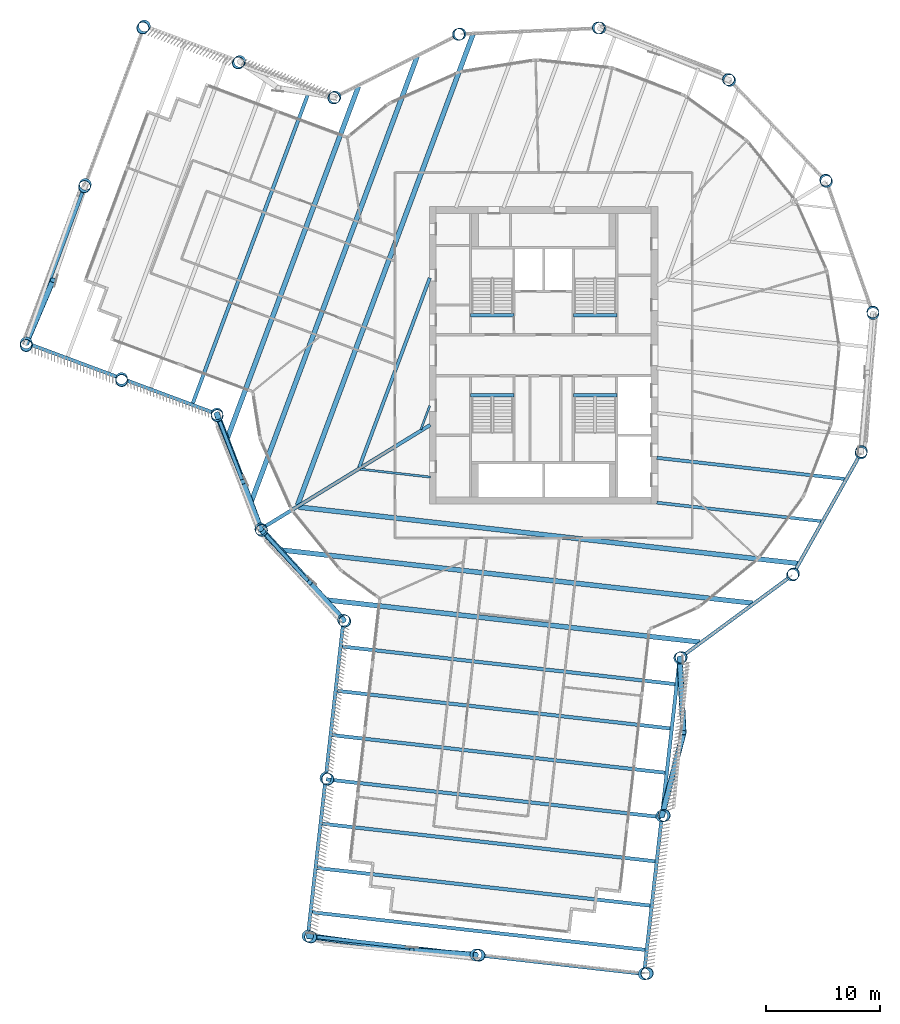
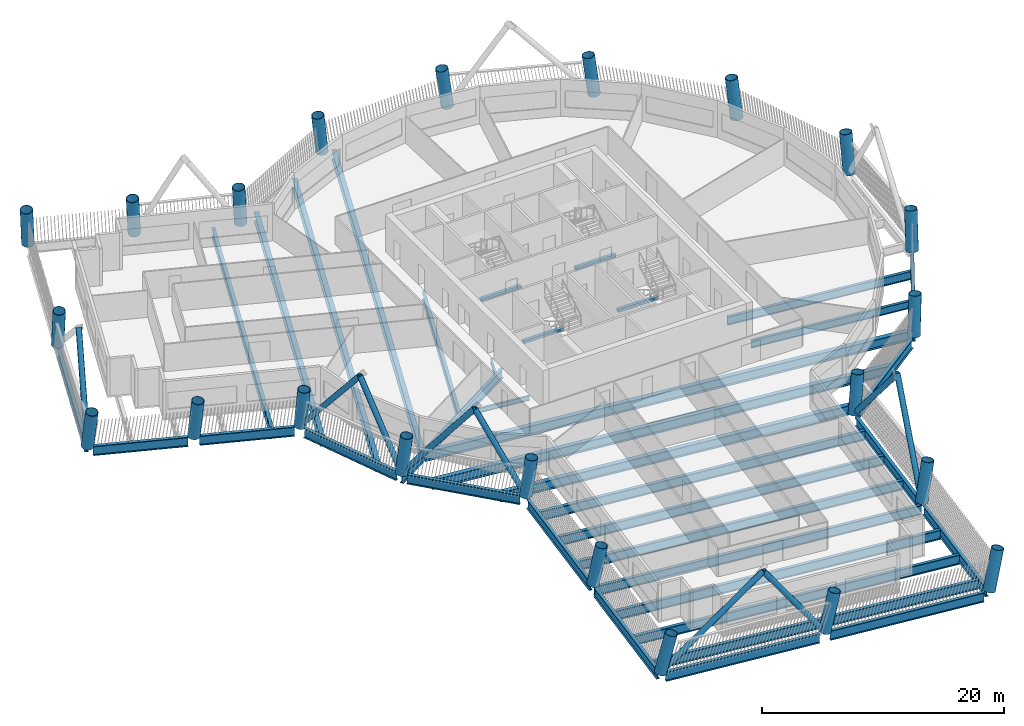
# One storey, part 1 of 22: 37 beams, 22 columns, 9 members.
"""IFC4 building model written with IfcOpenShell, lengths in metres."""

import ifcopenshell
import ifcopenshell.guid

model = None  # the IFC model being written
_history = None  # IfcOwnerHistory: only IFC2X3 demands one
_inside = {}  # id of a spatial element -> (the spatial element, [elements in it])
_under = {}  # id of a project, library or spatial element -> (it, [spatial elements below it])
_declared = {}  # id of a project -> (the project, [libraries it declares])
_typed = {}  # id of a type object -> (the type object, [elements of that type])
_made_of = {}  # id of a material, layer set ... -> (it, [elements and type objects made of it])


def new_model(schema):
    """Start an empty IFC model of exactly this schema.

    Asked for "IFC4X3", IfcOpenShell would pick the latest addendum, in which some entities
    have other attributes; the version numbers below select the first issue.
    IFC2X3 requires an IfcOwnerHistory on every rooted entity: one is made here for all.
    """
    global model, _history
    if schema == "IFC4X3":
        model = ifcopenshell.file(schema_version=(4, 3, 0, 0))
    else:
        model = ifcopenshell.file(schema=schema)
    _inside.clear()
    _under.clear()
    _declared.clear()
    _typed.clear()
    _made_of.clear()
    _history = None
    if model.schema == "IFC2X3":
        org = make("IfcOrganization", Name="unknown")
        user = make(
            "IfcPersonAndOrganization",
            ThePerson=make("IfcPerson", FamilyName="unknown"),
            TheOrganization=org,
        )
        app = make(
            "IfcApplication",
            ApplicationDeveloper=org,
            Version="unknown",
            ApplicationFullName="unknown",
            ApplicationIdentifier="unknown",
        )
        _history = make(
            "IfcOwnerHistory",
            OwningUser=user,
            OwningApplication=app,
            ChangeAction="ADDED",
            CreationDate=0,
        )
    return model


def make(cls, **values):
    """One entity of the class cls with the attributes given. An attribute that is None is left unset."""
    return model.create_entity(
        cls, **{name: value for name, value in values.items() if value is not None}
    )


def rooted(cls, **values):
    """An entity with a GlobalId (a new one), such as an element, a storey or a relation."""
    return make(cls, GlobalId=ifcopenshell.guid.new(), OwnerHistory=_history, **values)


def si_unit(unit_type, name, prefix=None):
    """IfcSIUnit, for example si_unit("LENGTHUNIT", "METRE", prefix="MILLI")."""
    return make("IfcSIUnit", UnitType=unit_type, Prefix=prefix, Name=name)


def assignment(units):
    """IfcUnitAssignment: the units of a project."""
    return None if units is None else make("IfcUnitAssignment", Units=units)


def point(xyz):
    """IfcCartesianPoint."""
    return None if xyz is None else make("IfcCartesianPoint", Coordinates=xyz)


def direction(xyz):
    """IfcDirection."""
    return None if xyz is None else make("IfcDirection", DirectionRatios=xyz)


def frame(location, z_axis=None, x_axis=None):
    """IfcAxis2Placement3D, a coordinate frame: its origin and axes. An axis left out is left unset."""
    return make(
        "IfcAxis2Placement3D",
        Location=point(location),
        Axis=direction(z_axis),
        RefDirection=direction(x_axis),
    )


def frame_2d(location, x_axis=None):
    """IfcAxis2Placement2D, a coordinate frame in the plane: its origin and x axis."""
    return make(
        "IfcAxis2Placement2D", Location=point(location), RefDirection=direction(x_axis)
    )


def origin():
    """The frame at (0, 0, 0) with its axes left unset."""
    return frame((0.0, 0.0, 0.0))


def origin_2d():
    """The frame at (0, 0) in the plane with its x axis left unset."""
    return frame_2d((0.0, 0.0))


def place(relative_to, where):
    """IfcLocalPlacement: puts the frame where relative to a parent placement (None: the world)."""
    return make(
        "IfcLocalPlacement", PlacementRelTo=relative_to, RelativePlacement=where
    )


def context(
    kind, dimensions, precision=None, world=None, true_north=None, identifier=None
):
    """IfcGeometricRepresentationContext, for example the 3D "Model" context."""
    return make(
        "IfcGeometricRepresentationContext",
        ContextIdentifier=identifier,
        ContextType=kind,
        CoordinateSpaceDimension=dimensions,
        Precision=precision,
        WorldCoordinateSystem=world,
        TrueNorth=true_north,
    )


def subcontext(parent, identifier, kind, view, scale=None):
    """IfcGeometricRepresentationSubContext, for example "Body" below "Model"."""
    return make(
        "IfcGeometricRepresentationSubContext",
        ContextIdentifier=identifier,
        ContextType=kind,
        ParentContext=parent,
        TargetScale=scale,
        TargetView=view,
    )


def project(units=None, contexts=None):
    """IfcProject with its units and contexts."""
    return rooted(
        "IfcProject",
        Name="project",
        RepresentationContexts=contexts,
        UnitsInContext=assignment(units),
    )


def spatial(cls, under=None, at=None, **own):
    """A site, building, storey or space (cls), placed at a placement, below another one or the project."""
    s = rooted(cls, ObjectPlacement=at, **own)
    if under is not None:
        _under.setdefault(under.id(), (under, []))[1].append(s)
    return s


def profile(cls, at=None, kind="AREA", **sizes):
    """A parametric profile (cls). Its sizes go by their IFC names, for example OverallWidth=200.0."""
    return make(cls, ProfileType=kind, Position=at, **sizes)


def rectangle(**sizes):
    """IfcRectangleProfileDef."""
    return profile("IfcRectangleProfileDef", **sizes)


def hollow_circle(**sizes):
    """IfcCircleHollowProfileDef."""
    return profile("IfcCircleHollowProfileDef", **sizes)


def i_section(**sizes):
    """IfcIShapeProfileDef."""
    return profile("IfcIShapeProfileDef", **sizes)


def extrude(swept, where, along, depth):
    """IfcExtrudedAreaSolid: the profile swept, set in the frame where, extruded along a direction by depth."""
    return make(
        "IfcExtrudedAreaSolid",
        SweptArea=swept,
        Position=where,
        ExtrudedDirection=direction(along),
        Depth=depth,
    )


def shape(context_of_items, identifier, shape_type, items):
    """IfcShapeRepresentation: the items that make up one representation, for example the "Body"."""
    return make(
        "IfcShapeRepresentation",
        ContextOfItems=context_of_items,
        RepresentationIdentifier=identifier,
        RepresentationType=shape_type,
        Items=items,
    )


def material(Name=None, Category=None):
    """IfcMaterial."""
    return make("IfcMaterial", Name=Name, Category=Category)


def material_profile(
    of_material, cross_section, Name=None, Category=None, Priority=None
):
    """IfcMaterialProfile: a cross section and its material."""
    return make(
        "IfcMaterialProfile",
        Name=Name,
        Material=of_material,
        Profile=cross_section,
        Priority=Priority,
        Category=Category,
    )


def profile_set(profiles, Name=None, composite=None):
    """IfcMaterialProfileSet."""
    return make(
        "IfcMaterialProfileSet",
        Name=Name,
        MaterialProfiles=profiles,
        CompositeProfile=composite,
    )


def made_of(thing, what):
    """Note that an element or type object is made of a material, layer set ...; save() writes the relation."""
    if what is not None:
        _made_of.setdefault(what.id(), (what, []))[1].append(thing)
    return thing


def type_object(cls, material=None, **own):
    """A type object (cls), such as IfcWallType, which elements share."""
    return made_of(rooted(cls, **own), material)


def element(
    cls,
    number,
    at=None,
    inside=None,
    cuts=None,
    type_object=None,
    material=None,
    context=None,
    identifier="Body",
    shape_type=None,
    held_by="IfcProductDefinitionShape",
    body=None,
    shapes=None,
    **own,
):
    """One element of the class cls, such as IfcWall. Its Tag is "e" and its number.

    at: its placement. inside: the storey or other place that contains it. cuts: it is an
    opening in that element (IfcRelVoidsElement). A single representation is given by context,
    identifier, shape_type and body (its items); several are given by shapes. held_by: the class
    of the entity that holds the representations. save() writes the other relations.
    """
    e = rooted(cls, Tag="e%d" % number, ObjectPlacement=at, **own)
    if body is not None:
        shapes = [shape(context, identifier, shape_type, body)]
    if shapes is not None:
        e.Representation = make(held_by, Representations=shapes)
    if inside is not None:
        _inside.setdefault(inside.id(), (inside, []))[1].append(e)
    if cuts is not None:
        rooted(
            "IfcRelVoidsElement", RelatingBuildingElement=cuts, RelatedOpeningElement=e
        )
    if type_object is not None:
        _typed.setdefault(type_object.id(), (type_object, []))[1].append(e)
    return made_of(e, material)


def aggregate(whole, parts):
    """IfcRelAggregates: a whole, such as a stair, and the parts it consists of."""
    return rooted("IfcRelAggregates", RelatingObject=whole, RelatedObjects=parts)


def save(model, path):
    """Write the relations noted so far, then the file.

    IfcRelAggregates (storeys below a building ...), IfcRelContainedInSpatialStructure (elements
    in a storey), IfcRelDefinesByType, IfcRelAssociatesMaterial and IfcRelDeclares: one each for
    every whole, place, type object, material and project.
    """
    for whole, parts in _under.values():
        aggregate(whole, parts)
    for where, things in _inside.values():
        rooted(
            "IfcRelContainedInSpatialStructure",
            RelatedElements=things,
            RelatingStructure=where,
        )
    for kind, things in _typed.values():
        rooted("IfcRelDefinesByType", RelatedObjects=things, RelatingType=kind)
    for what, things in _made_of.values():
        rooted("IfcRelAssociatesMaterial", RelatedObjects=things, RelatingMaterial=what)
    for by, libraries in _declared.values():
        rooted("IfcRelDeclares", RelatingContext=by, RelatedDefinitions=libraries)
    model.write(path)


model = new_model("IFC4")

# Units and contexts
model_context = context("Model", 3, precision=1e-05, world=origin(), true_north=direction((0.0, 1.0)))
body_context = subcontext(model_context, "Body", "Model", "MODEL_VIEW")
ifc_project = project(units=[si_unit("LENGTHUNIT", "METRE"), si_unit("AREAUNIT", "SQUARE_METRE"), si_unit("VOLUMEUNIT", "CUBIC_METRE"), si_unit("PLANEANGLEUNIT", "RADIAN"), si_unit("MASSUNIT", "GRAM", prefix="KILO")], contexts=[model_context])

# Site, building, storey
site_placement = place(None, origin())
site = spatial("IfcSite", under=ifc_project, at=site_placement, CompositionType="ELEMENT")
building_placement = place(site_placement, origin())
building = spatial("IfcBuilding", under=site, at=building_placement, Name="Tarsis Ring Headquarters", CompositionType="ELEMENT")
storey_placement = place(building_placement, frame((0.0, 0.0, 200.39990234375)))
storey = spatial("IfcBuildingStorey", under=building, at=storey_placement, Name="L46", CompositionType="ELEMENT", Elevation=200.39990234375)

# Columns
ifc_material_1 = material(Name="Structural steel S355", Category="steel")
ifc_material_profile_1 = material_profile(ifc_material_1, hollow_circle(Radius=0.533447265625, WallThickness=0.044921875, at=origin_2d()), Name="CHS 1067x45")
ifc_profile_set_1 = profile_set([ifc_material_profile_1], Name="Structural steel S355")
column_type = type_object("IfcColumnType", Name="XC Exo column CHS 1067x45", PredefinedType="COLUMN", material=ifc_profile_set_1)
for number, where, z_axis, x_axis, name in (
    (1, (-24.7509765625, -15.20556640625, 0.0166015625), (0.065708432363, -0.104958768504, 0.992303410672), (0.847601721443, 0.530632944518, 0.0), "Exo column XC5 F1"),
    (2, (-17.508544921875, -23.178955078125, 0.0166015625), (0.099467002287, -0.073820240718, 0.992298789436), (0.595962210807, 0.803012480158, 0.0), "Exo column XC5 AK"),
):
    element("IfcColumn", number, at=place(storey_placement, frame(where, z_axis=z_axis, x_axis=x_axis)), inside=storey, type_object=column_type, Name=name, PredefinedType="COLUMN", context=body_context, shape_type="SweptSolid", body=[
        extrude(hollow_circle(Radius=0.533447265625, WallThickness=0.044921875, at=origin_2d()), origin(), (0.0, 0.0, 1.0), 3.912353515625),
    ])
column_1_placement = place(storey_placement, frame((-19.06591796875, -36.994140625, 0.023193359375), z_axis=(0.157139657731, -0.079313978784, 0.984386316818), x_axis=(0.450592484215, 0.892729753715, 0.0)))
element("IfcColumn", 3, at=column_1_placement, inside=storey, type_object=column_type, Name="Exo column XC5 AI1", PredefinedType="COLUMN", context=body_context, shape_type="SweptSolid", body=[
    extrude(hollow_circle(Radius=0.533447265625, WallThickness=0.044921875, at=origin_2d()), origin(), (0.0, 0.0, 1.0), 3.93701171875),
])
column_2_placement = place(storey_placement, frame((-20.622314453125, -50.809326171875, 0.029541015625), z_axis=(0.213135600816, -0.084517171966, 0.973360191968), x_axis=(0.368617737908, 0.929581068708, 0.0)))
element("IfcColumn", 4, at=column_2_placement, inside=storey, type_object=column_type, Name="Exo column XC5 AT1", PredefinedType="COLUMN", context=body_context, shape_type="SweptSolid", body=[
    extrude(hollow_circle(Radius=0.533447265625, WallThickness=0.044921875, at=origin_2d()), origin(), (0.0, 0.0, 1.0), 3.974853515625),
])
column_3_placement = place(storey_placement, frame((-5.915771484375, -52.467529296875, 0.028564453125), z_axis=(0.220012133814, -0.022948692929, 0.975227162495), x_axis=(0.103743657062, 0.994604068773, 0.0)))
element("IfcColumn", 5, at=column_3_placement, inside=storey, type_object=column_type, Name="Exo column XC5 AT2", PredefinedType="COLUMN", context=body_context, shape_type="SweptSolid", body=[
    extrude(hollow_circle(Radius=0.533447265625, WallThickness=0.044921875, at=origin_2d()), origin(), (0.0, 0.0, 1.0), 3.96826171875),
])
column_4_placement = place(storey_placement, frame((8.791259765625, -54.125732421875, 0.029541015625), z_axis=(0.226032691813, 0.03863439216, 0.97335327912), x_axis=(-0.168480551943, 0.985704977981, 0.0)))
element("IfcColumn", 6, at=column_4_placement, inside=storey, type_object=column_type, Name="Exo column XC5 AT3", PredefinedType="COLUMN", context=body_context, shape_type="SweptSolid", body=[
    extrude(hollow_circle(Radius=0.533447265625, WallThickness=0.044921875, at=origin_2d()), origin(), (0.0, 0.0, 1.0), 3.974853515625),
])
column_5_placement = place(storey_placement, frame((10.34765625, -40.311279296875, 0.023193359375), z_axis=(0.170100761695, 0.045207238525, 0.984389169209), x_axis=(-0.256851169136, 0.966450969741, 0.0)))
element("IfcColumn", 7, at=column_5_placement, inside=storey, type_object=column_type, Name="Exo column XC5 AO1", PredefinedType="COLUMN", context=body_context, shape_type="SweptSolid", body=[
    extrude(hollow_circle(Radius=0.533447265625, WallThickness=0.044921875, at=origin_2d()), origin(), (0.0, 0.0, 1.0), 3.93701171875),
])
for number, where, z_axis, x_axis, name in (
    (8, (11.905029296875, -26.496826171875, 0.0166015625), (0.112509647454, 0.051668323955, 0.992306385916), (-0.417331447204, 0.908754346991, 0.0), "Exo column XC5 AJ"),
    (9, (21.768310546875, -19.234130859375, 0.0166015625), (0.081246122094, 0.093476721119, 0.992300947421), (-0.75475736002, 0.656004060578, 0.0), "Exo column XC5 R1"),
    (10, (27.76123046875, -8.551513671875, 0.0166015625), (0.035443968814, 0.118624973091, 0.992306324092), (-0.958144754212, 0.286284176956, 0.0), "Exo column XC5 R2"),
    (11, (28.818115234375, 3.651611328125, 0.0166015625), (-0.01659864952, 0.122742645132, 0.992299716769), (-0.990979776713, -0.134011500054, 0.0), "Exo column XC5 R3"),
    (12, (24.7509765625, 15.20556640625, 0.0166015625), (-0.065708432363, 0.104958768504, 0.992303410672), (-0.847601721443, -0.530632944518, 0.0), "Exo column XC5 R4"),
    (13, (16.282958984375, 24.0556640625, 0.0166015625), (-0.103148677285, 0.068578582176, 0.992299011609), (-0.553653446797, -0.832747177029, 0.0), "Exo column XC5 R5"),
    (14, (4.919921875, 28.62890625, 0.0166015625), (-0.122243381459, 0.019968290999, 0.99229926083), (-0.161212013875, -0.986919797442, 0.0), "Exo column XC5 R6"),
    (15, (-7.318115234375, 28.111572265625, 0.0166015625), (-0.119560786918, -0.032199042824, 0.992304610426), (0.260045765581, -0.965596292352, 0.0), "Exo column XC5 R7"),
    (16, (-18.2548828125, 22.595947265625, 0.0166015625), (-0.095661039568, -0.078625511974, 0.992303882072), (0.634965075677, -0.772540842073, 0.0), "Exo column XC5 BJ"),
):
    element("IfcColumn", number, at=place(storey_placement, frame(where, z_axis=z_axis, x_axis=x_axis)), inside=storey, type_object=column_type, Name=name, PredefinedType="COLUMN", context=body_context, shape_type="SweptSolid", body=[
        extrude(hollow_circle(Radius=0.533447265625, WallThickness=0.044921875, at=origin_2d()), origin(), (0.0, 0.0, 1.0), 3.912353515625),
    ])
column_6_placement = place(storey_placement, frame((-26.59716796875, 25.703857421875, 0.020751953125), z_axis=(-0.108117532362, -0.113775206568, 0.987606096359), x_axis=(0.724900526125, -0.688853560072, 0.0)))
element("IfcColumn", 17, at=column_6_placement, inside=storey, type_object=column_type, Name="Exo column XC5 BO1", PredefinedType="COLUMN", context=body_context, shape_type="SweptSolid", body=[
    extrude(hollow_circle(Radius=0.533447265625, WallThickness=0.044921875, at=origin_2d()), origin(), (0.0, 0.0, 1.0), 3.9267578125),
])
column_7_placement = place(storey_placement, frame((-34.939697265625, 28.811279296875, 0.02490234375), z_axis=(-0.12026350164, -0.148349730932, 0.981595154586), x_axis=(0.776807142454, -0.629738567528, 0.0)))
element("IfcColumn", 18, at=column_7_placement, inside=storey, type_object=column_type, Name="Exo column XC5 BT3", PredefinedType="COLUMN", context=body_context, shape_type="SweptSolid", body=[
    extrude(hollow_circle(Radius=0.533447265625, WallThickness=0.044921875, at=origin_2d()), origin(), (0.0, 0.0, 1.0), 3.946533203125),
])
column_8_placement = place(storey_placement, frame((-40.106689453125, 14.94287109375, 0.023681640625), z_axis=(-0.06171751849, -0.169971037367, 0.983514511519), x_axis=(0.939953401432, -0.341302802707, 0.0)))
element("IfcColumn", 19, at=column_8_placement, inside=storey, type_object=column_type, Name="Exo column XC5 BT2", PredefinedType="COLUMN", context=body_context, shape_type="SweptSolid", body=[
    extrude(hollow_circle(Radius=0.533447265625, WallThickness=0.044921875, at=origin_2d()), origin(), (0.0, 0.0, 1.0), 3.93994140625),
])
column_9_placement = place(storey_placement, frame((-45.27392578125, 1.073974609375, 0.02490234375), z_axis=(-0.002907592783, -0.190973168544, 0.981590950855), x_axis=(0.999884117738, -0.015223373351, 0.0)))
element("IfcColumn", 20, at=column_9_placement, inside=storey, type_object=column_type, Name="Exo column XC5 BT1", PredefinedType="COLUMN", context=body_context, shape_type="SweptSolid", body=[
    extrude(hollow_circle(Radius=0.533447265625, WallThickness=0.044921875, at=origin_2d()), origin(), (0.0, 0.0, 1.0), 3.946533203125),
])
column_10_placement = place(storey_placement, frame((-36.931884765625, -2.033447265625, 0.020751953125), z_axis=(0.009947598649, -0.156612506233, 0.987610028388), x_axis=(0.997988861611, 0.06338952674, 0.0)))
element("IfcColumn", 21, at=column_10_placement, inside=storey, type_object=column_type, Name="Exo column XC5 BI1", PredefinedType="COLUMN", context=body_context, shape_type="SweptSolid", body=[
    extrude(hollow_circle(Radius=0.533447265625, WallThickness=0.044921875, at=origin_2d()), origin(), (0.0, 0.0, 1.0), 3.9267578125),
])
column_11_placement = place(storey_placement, frame((-28.58984375, -5.14111328125, 0.0166015625), z_axis=(0.022901262686, -0.121682458415, 0.992304848059), x_axis=(0.982746441275, 0.184957919973, 0.0)))
element("IfcColumn", 22, at=column_11_placement, inside=storey, type_object=column_type, Name="Exo column XC5 BK", PredefinedType="COLUMN", context=body_context, shape_type="SweptSolid", body=[
    extrude(hollow_circle(Radius=0.533447265625, WallThickness=0.044921875, at=origin_2d()), origin(), (0.0, 0.0, 1.0), 3.912353515625),
])

# Beams
ifc_material_profile_2 = material_profile(ifc_material_1, i_section(OverallWidth=0.177734375, OverallDepth=0.406494140625, WebThickness=0.0078125, FlangeThickness=0.0126953125, at=origin_2d()), Name="W16x40")
ifc_profile_set_2 = profile_set([ifc_material_profile_2], Name="Structural steel S355")
beam_type_1 = type_object("IfcBeamType", Name="FB Floor beam W16x40", PredefinedType="JOIST", material=ifc_profile_set_2)
beam_1_placement = place(storey_placement, frame((-9.965087890625, -4.403076171875, -0.363037109375), z_axis=(-0.34923555343, -0.937034966381, 0.0), x_axis=(0.937034966381, -0.34923555343, 0.0)))
element("IfcBeam", 23, at=beam_1_placement, inside=storey, type_object=beam_type_1, Name="Floor beam FB1", PredefinedType="JOIST", context=body_context, shape_type="SweptSolid", body=[
    extrude(i_section(OverallWidth=0.177734375, OverallDepth=0.406494140625, WebThickness=0.0078125, FlangeThickness=0.0126953125, at=origin_2d()), origin(), (0.0, 0.0, 1.0), 2.225830078125),
])
ifc_material_profile_3 = material_profile(ifc_material_1, i_section(OverallWidth=0.1904296875, OverallDepth=0.457275390625, WebThickness=0.009033203125, FlangeThickness=0.014404296875, at=origin_2d()), Name="W18x50")
ifc_profile_set_3 = profile_set([ifc_material_profile_3], Name="Structural steel S355")
beam_type_2 = type_object("IfcBeamType", Name="FB Floor beam W18x50", PredefinedType="JOIST", material=ifc_profile_set_3)
beam_2_placement = place(storey_placement, frame((-16.04248046875, -9.963623046875, -0.388427734375), z_axis=(0.993692475901, -0.112139481619, 0.0), x_axis=(0.112139481619, 0.993692475901, 0.0)))
element("IfcBeam", 24, at=beam_2_placement, inside=storey, type_object=beam_type_2, Name="Floor beam FB2", PredefinedType="JOIST", context=body_context, shape_type="SweptSolid", body=[
    extrude(i_section(OverallWidth=0.1904296875, OverallDepth=0.457275390625, WebThickness=0.009033203125, FlangeThickness=0.014404296875, at=origin_2d()), origin(), (0.0, 0.0, 1.0), 6.180908203125),
])
ifc_material_profile_4 = material_profile(ifc_material_1, i_section(OverallWidth=0.2666015625, OverallDepth=0.7568359375, WebThickness=0.013916015625, FlangeThickness=0.019287109375, at=origin_2d()), Name="W30x108")
ifc_profile_set_4 = profile_set([ifc_material_profile_4], Name="Structural steel S355")
beam_type_3 = type_object("IfcBeamType", Name="FB Floor beam W30x108", PredefinedType="JOIST", material=ifc_profile_set_4)
beam_3_placement = place(storey_placement, frame((9.900634765625, -12.891845703125, -0.538330078125), z_axis=(0.993689624089, -0.112164749263, 0.0), x_axis=(0.112164749263, 0.993689624089, 0.0)))
element("IfcBeam", 25, at=beam_3_placement, inside=storey, type_object=beam_type_3, Name="Floor beam FB6", PredefinedType="JOIST", context=body_context, shape_type="SweptSolid", body=[
    extrude(i_section(OverallWidth=0.2666015625, OverallDepth=0.7568359375, WebThickness=0.013916015625, FlangeThickness=0.019287109375, at=origin_2d()), origin(), (0.0, 0.0, 1.0), 14.53125),
])
ifc_material_profile_5 = material_profile(ifc_material_1, i_section(OverallWidth=0.2919921875, OverallDepth=0.835693359375, WebThickness=0.013916015625, FlangeThickness=0.018798828125, at=origin_2d()), Name="W33x118")
ifc_profile_set_5 = profile_set([ifc_material_profile_5], Name="Structural steel S355")
beam_type_4 = type_object("IfcBeamType", Name="FB Floor beam W33x118", PredefinedType="JOIST", material=ifc_profile_set_5)
beam_4_placement = place(storey_placement, frame((9.900634765625, -8.967041015625, -0.57763671875), z_axis=(0.993690317002, -0.112158610441, 0.0), x_axis=(0.112158610441, 0.993690317002, 0.0)))
element("IfcBeam", 26, at=beam_4_placement, inside=storey, type_object=beam_type_4, Name="Floor beam FB7", PredefinedType="JOIST", context=body_context, shape_type="SweptSolid", body=[
    extrude(i_section(OverallWidth=0.2919921875, OverallDepth=0.835693359375, WebThickness=0.013916015625, FlangeThickness=0.018798828125, at=origin_2d()), origin(), (0.0, 0.0, 1.0), 16.614990234375),
])
beam_5_placement = place(storey_placement, frame((-9.965087890625, 6.764404296875, -0.57763671875), z_axis=(-0.349225272184, -0.937038798166, 0.0), x_axis=(0.937038798166, -0.349225272184, 0.0)))
element("IfcBeam", 27, at=beam_5_placement, inside=storey, type_object=beam_type_4, Name="Floor beam FB7", PredefinedType="JOIST", context=body_context, shape_type="SweptSolid", body=[
    extrude(i_section(OverallWidth=0.2919921875, OverallDepth=0.835693359375, WebThickness=0.013916015625, FlangeThickness=0.018798828125, at=origin_2d()), origin(), (0.0, 0.0, 1.0), 17.68212890625),
])
ifc_material_profile_6 = material_profile(ifc_material_1, i_section(OverallWidth=0.309814453125, OverallDepth=0.949951171875, WebThickness=0.0244140625, FlangeThickness=0.0439453125, at=origin_2d()), Name="W36x256")
ifc_profile_set_6 = profile_set([ifc_material_profile_6], Name="Structural steel S355")
beam_type_5 = type_object("IfcBeamType", Name="FB Floor beam W36x256", PredefinedType="JOIST", material=ifc_profile_set_6)
for number, where, z_axis, x_axis, name in (
    (28, (-17.714111328125, -25.473876953125, -0.635009765625), (0.993690102916, -0.112160507163, 0.0), (0.112160507163, 0.993690102916, 0.0), "Floor beam FB11"),
    (29, (-18.1513671875, -29.349365234375, -0.635009765625), (0.993690102916, -0.112160507163, 0.0), (0.112160507163, 0.993690102916, 0.0), "Floor beam FB11"),
    (30, (-18.5888671875, -33.224609375, -0.635009765625), (0.993689180193, -0.112168681756, 0.0), (0.112168681756, 0.993689180193, 0.0), "Floor beam FB11"),
    (31, (-19.0263671875, -37.10009765625, -0.635009765625), (0.993690102916, -0.112160507163, 0.0), (0.112160507163, 0.993690102916, 0.0), "Floor beam FB11"),
):
    element("IfcBeam", number, at=place(storey_placement, frame(where, z_axis=z_axis, x_axis=x_axis)), inside=storey, type_object=beam_type_5, Name=name, PredefinedType="JOIST", context=body_context, shape_type="SweptSolid", body=[
        extrude(i_section(OverallWidth=0.309814453125, OverallDepth=0.949951171875, WebThickness=0.0244140625, FlangeThickness=0.0439453125, at=origin_2d()), origin(), (0.0, 0.0, 1.0), 29.489990234375),
    ])
beam_6_placement = place(storey_placement, frame((-19.4638671875, -40.975341796875, -0.635009765625), z_axis=(0.993689284354, -0.112167759008, 0.0), x_axis=(0.112167759008, 0.993689284354, 0.0)))
element("IfcBeam", 32, at=beam_6_placement, inside=storey, type_object=beam_type_5, Name="Floor beam FB11", PredefinedType="JOIST", context=body_context, shape_type="SweptSolid", body=[
    extrude(i_section(OverallWidth=0.309814453125, OverallDepth=0.949951171875, WebThickness=0.0244140625, FlangeThickness=0.0439453125, at=origin_2d()), origin(), (0.0, 0.0, 1.0), 29.490234375),
])
for number, where, z_axis, x_axis, name in (
    (33, (-19.901123046875, -44.850830078125, -0.635009765625), (0.993690102916, -0.112160507163, 0.0), (0.112160507163, 0.993690102916, 0.0), "Floor beam FB11"),
    (34, (-20.338623046875, -48.726318359375, -0.635009765625), (0.993690102916, -0.112160507163, 0.0), (0.112160507163, 0.993690102916, 0.0), "Floor beam FB11"),
    (35, (-20.431884765625, 23.3505859375, -0.635009765625), (-0.34922291363, -0.937039677172, 0.0), (0.937039677172, -0.34922291363, 0.0), "Floor beam FB11"),
):
    element("IfcBeam", number, at=place(storey_placement, frame(where, z_axis=z_axis, x_axis=x_axis)), inside=storey, type_object=beam_type_5, Name=name, PredefinedType="JOIST", context=body_context, shape_type="SweptSolid", body=[
        extrude(i_section(OverallWidth=0.309814453125, OverallDepth=0.949951171875, WebThickness=0.0244140625, FlangeThickness=0.0439453125, at=origin_2d()), origin(), (0.0, 0.0, 1.0), 29.489990234375),
    ])
beam_type_6 = type_object("IfcBeamType", Name="FB Floor beam W36x256 spine", PredefinedType="BEAM", material=ifc_profile_set_6)
beam_7_placement = place(storey_placement, frame((-9.914794921875, -6.090087890625, -0.635009765625), z_axis=(-0.852091760441, -0.523392426186, 0.0), x_axis=(0.523392426186, -0.852091760441, 0.0)))
element("IfcBeam", 36, at=beam_7_placement, inside=storey, type_object=beam_type_6, Name="Floor beam SB11", PredefinedType="BEAM", context=body_context, shape_type="SweptSolid", body=[
    extrude(i_section(OverallWidth=0.309814453125, OverallDepth=0.949951171875, WebThickness=0.0244140625, FlangeThickness=0.0439453125, at=origin_2d()), origin(), (0.0, 0.0, 1.0), 17.35498046875),
])
ifc_material_profile_7 = material_profile(ifc_material_1, i_section(OverallWidth=0.42431640625, OverallDepth=0.947509765625, WebThickness=0.02392578125, FlangeThickness=0.042724609375, at=origin_2d()), Name="W36x302")
ifc_profile_set_7 = profile_set([ifc_material_profile_7], Name="Structural steel S355")
beam_type_7 = type_object("IfcBeamType", Name="FB Floor beam W36x302", PredefinedType="JOIST", material=ifc_profile_set_7)
beam_8_placement = place(storey_placement, frame((-21.440185546875, -13.279052734375, -0.633544921875), z_axis=(0.993690067108, -0.112160824407, 0.0), x_axis=(0.112160824407, 0.993690067108, 0.0)))
element("IfcBeam", 37, at=beam_8_placement, inside=storey, type_object=beam_type_7, Name="Floor beam FB12", PredefinedType="JOIST", context=body_context, shape_type="SweptSolid", body=[
    extrude(i_section(OverallWidth=0.42431640625, OverallDepth=0.947509765625, WebThickness=0.02392578125, FlangeThickness=0.042724609375, at=origin_2d()), origin(), (0.0, 0.0, 1.0), 43.98681640625),
])
beam_9_placement = place(storey_placement, frame((-22.97265625, -17.03076171875, -0.633544921875), z_axis=(0.993689705195, -0.112164030732, 0.0), x_axis=(0.112164030732, 0.993689705195, 0.0)))
element("IfcBeam", 38, at=beam_9_placement, inside=storey, type_object=beam_type_7, Name="Floor beam FB12", PredefinedType="JOIST", context=body_context, shape_type="SweptSolid", body=[
    extrude(i_section(OverallWidth=0.42431640625, OverallDepth=0.947509765625, WebThickness=0.02392578125, FlangeThickness=0.042724609375, at=origin_2d()), origin(), (0.0, 0.0, 1.0), 41.523681640625),
])
beam_10_placement = place(storey_placement, frame((-19.0009765625, -21.40380859375, -0.633544921875), z_axis=(0.993689407951, -0.112166664059, 0.0), x_axis=(0.112166664059, 0.993689407951, 0.0)))
element("IfcBeam", 39, at=beam_10_placement, inside=storey, type_object=beam_type_7, Name="Floor beam FB12", PredefinedType="JOIST", context=body_context, shape_type="SweptSolid", body=[
    extrude(i_section(OverallWidth=0.42431640625, OverallDepth=0.947509765625, WebThickness=0.02392578125, FlangeThickness=0.042724609375, at=origin_2d()), origin(), (0.0, 0.0, 1.0), 32.875244140625),
])
beam_11_placement = place(storey_placement, frame((-6.176513671875, 28.097412109375, -0.633544921875), z_axis=(-0.349226184306, -0.937038458226, 0.0), x_axis=(0.937038458226, -0.349226184306, 0.0)))
element("IfcBeam", 40, at=beam_11_placement, inside=storey, type_object=beam_type_7, Name="Floor beam FB12", PredefinedType="JOIST", context=body_context, shape_type="SweptSolid", body=[
    extrude(i_section(OverallWidth=0.42431640625, OverallDepth=0.947509765625, WebThickness=0.02392578125, FlangeThickness=0.042724609375, at=origin_2d()), origin(), (0.0, 0.0, 1.0), 43.98681640625),
])
beam_12_placement = place(storey_placement, frame((-11.075927734375, 26.118896484375, -0.633544921875), z_axis=(-0.349226452236, -0.937038358371, 0.0), x_axis=(0.937038358371, -0.349226452236, 0.0)))
element("IfcBeam", 41, at=beam_12_placement, inside=storey, type_object=beam_type_7, Name="Floor beam FB12", PredefinedType="JOIST", context=body_context, shape_type="SweptSolid", body=[
    extrude(i_section(OverallWidth=0.42431640625, OverallDepth=0.947509765625, WebThickness=0.02392578125, FlangeThickness=0.042724609375, at=origin_2d()), origin(), (0.0, 0.0, 1.0), 41.52392578125),
])
beam_13_placement = place(storey_placement, frame((-16.201171875, 23.534423828125, -0.633544921875), z_axis=(-0.349227296492, -0.937038043723, 0.0), x_axis=(0.937038043723, -0.349227296492, 0.0)))
element("IfcBeam", 42, at=beam_13_placement, inside=storey, type_object=beam_type_7, Name="Floor beam FB12", PredefinedType="JOIST", context=body_context, shape_type="SweptSolid", body=[
    extrude(i_section(OverallWidth=0.42431640625, OverallDepth=0.947509765625, WebThickness=0.02392578125, FlangeThickness=0.042724609375, at=origin_2d()), origin(), (0.0, 0.0, 1.0), 32.875244140625),
])
ifc_material_2 = material(Name="Concrete C40/50", Category="concrete")
ifc_material_profile_8 = material_profile(ifc_material_2, rectangle(XDim=0.300048828125, YDim=0.300048828125, at=origin_2d()), Name="Stair head beam 300x300 C40/50")
ifc_profile_set_8 = profile_set([ifc_material_profile_8], Name="Concrete C40/50")
beam_type_8 = type_object("IfcBeamType", Name="Stair head beam 300x300 C40/50", PredefinedType="BEAM", material=ifc_profile_set_8)
for number, where, z_axis, x_axis, name in (
    (43, (-6.39990234375, 3.510009765625, -0.309814453125), (1.0, 0.0, 0.0), (0.0, 1.0, 0.0), "Stair head beam L46 Firefighting stair"),
    (44, (2.60009765625, 3.510009765625, -0.309814453125), (1.0, 0.0, 0.0), (0.0, 1.0, 0.0), "Stair head beam L46 Exit stair B"),
    (45, (-6.39990234375, -3.510009765625, -0.309814453125), (1.0, 0.0, 0.0), (0.0, 1.0, 0.0), "Stair head beam L46 Exit stair C"),
    (46, (2.60009765625, -3.510009765625, -0.309814453125), (1.0, 0.0, 0.0), (0.0, 1.0, 0.0), "Stair head beam L46 Exit stair D"),
):
    element("IfcBeam", number, at=place(storey_placement, frame(where, z_axis=z_axis, x_axis=x_axis)), inside=storey, type_object=beam_type_8, Name=name, PredefinedType="BEAM", context=body_context, shape_type="SweptSolid", body=[
        extrude(rectangle(XDim=0.300048828125, YDim=0.300048828125, at=origin_2d()), origin(), (0.0, 0.0, 1.0), 3.7998046875),
    ])

# Members
ifc_material_profile_9 = material_profile(ifc_material_1, hollow_circle(Radius=0.25390625, WallThickness=0.02001953125, at=origin_2d()), Name="CHS 508x20")
ifc_profile_set_9 = profile_set([ifc_material_profile_9], Name="Structural steel S355")
member_type = type_object("IfcMemberType", Name="XD X brace CHS 508x20", PredefinedType="BRACE", material=ifc_profile_set_9)
member_1_placement = place(storey_placement, frame((-24.751953125, -15.20361328125, 0.0), z_axis=(0.425305303299, -0.465958593867, 0.775885292931), x_axis=(0.738592157843, 0.674152523078, 0.0)))
element("IfcMember", 47, at=member_1_placement, inside=storey, type_object=member_type, Name="X brace XD2", PredefinedType="BRACE", context=body_context, shape_type="SweptSolid", body=[
    extrude(hollow_circle(Radius=0.25390625, WallThickness=0.02001953125, at=origin_2d()), origin(), (0.0, 0.0, 1.0), 10.052978515625),
])
member_2_placement = place(storey_placement, frame((-17.51025390625, -23.177734375, 0.0), z_axis=(-0.33066462382, 0.366754943286, 0.869569846608), x_axis=(-0.742704621265, -0.669619179499, 0.0)))
element("IfcMember", 48, at=member_2_placement, inside=storey, type_object=member_type, Name="X brace XD2", PredefinedType="BRACE", context=body_context, shape_type="SweptSolid", body=[
    extrude(hollow_circle(Radius=0.25390625, WallThickness=0.02001953125, at=origin_2d()), origin(), (0.0, 0.0, 1.0), 8.969970703125),
])
member_3_placement = place(storey_placement, frame((-20.62890625, -50.806884765625, 0.0), z_axis=(0.75485805063, -0.103449367074, 0.64767858684), x_axis=(0.135775705921, 0.990739601349, 0.0)))
element("IfcMember", 49, at=member_3_placement, inside=storey, type_object=member_type, Name="X brace XD2", PredefinedType="BRACE", context=body_context, shape_type="SweptSolid", body=[
    extrude(hollow_circle(Radius=0.25390625, WallThickness=0.02001953125, at=origin_2d()), origin(), (0.0, 0.0, 1.0), 12.04296875),
])
member_4_placement = place(storey_placement, frame((-5.922119140625, -52.466796875, 0.0), z_axis=(-0.583758594081, 0.043040237167, 0.810785694139), x_axis=(-0.073529928553, -0.997293010909, 0.0)))
element("IfcMember", 50, at=member_4_placement, inside=storey, type_object=member_type, Name="X brace XD2", PredefinedType="BRACE", context=body_context, shape_type="SweptSolid", body=[
    extrude(hollow_circle(Radius=0.25390625, WallThickness=0.02001953125, at=origin_2d()), origin(), (0.0, 0.0, 1.0), 9.620361328125),
])
member_5_placement = place(storey_placement, frame((10.34375, -40.312255859375, 0.0), z_axis=(0.174453807228, 0.672767875011, 0.718991832705), x_axis=(-0.967985535211, 0.25100598324, 0.0)))
element("IfcMember", 51, at=member_5_placement, inside=storey, type_object=member_type, Name="X brace XD2", PredefinedType="BRACE", context=body_context, shape_type="SweptSolid", body=[
    extrude(hollow_circle(Radius=0.25390625, WallThickness=0.02001953125, at=origin_2d()), origin(), (0.0, 0.0, 1.0), 10.8486328125),
])
member_6_placement = place(storey_placement, frame((11.903076171875, -26.497802734375, 0.0), z_axis=(0.032771389725, -0.640758696236, 0.76704258631), x_axis=(0.99869467183, 0.051077905768, 0.0)))
element("IfcMember", 52, at=member_6_placement, inside=storey, type_object=member_type, Name="X brace XD2", PredefinedType="BRACE", context=body_context, shape_type="SweptSolid", body=[
    extrude(hollow_circle(Radius=0.25390625, WallThickness=0.02001953125, at=origin_2d()), origin(), (0.0, 0.0, 1.0), 10.1689453125),
])
member_7_placement = place(storey_placement, frame((-45.273681640625, 1.07861328125, 0.0), z_axis=(0.238092051403, 0.559664150046, 0.793780961104), x_axis=(-0.920191896125, 0.391467590365, 0.0)))
element("IfcMember", 53, at=member_7_placement, inside=storey, type_object=member_type, Name="X brace XD2", PredefinedType="BRACE", context=body_context, shape_type="SweptSolid", body=[
    extrude(hollow_circle(Radius=0.25390625, WallThickness=0.02001953125, at=origin_2d()), origin(), (0.0, 0.0, 1.0), 9.826416015625),
])
member_8_placement = place(storey_placement, frame((-28.59033203125, -5.13916015625, 0.0), z_axis=(0.226289214396, -0.588891088204, 0.775886897481), x_axis=(0.933455688603, 0.358692733985, 0.0)))
element("IfcMember", 54, at=member_8_placement, inside=storey, type_object=member_type, Name="X brace XD2", PredefinedType="BRACE", context=body_context, shape_type="SweptSolid", body=[
    extrude(hollow_circle(Radius=0.25390625, WallThickness=0.02001953125, at=origin_2d()), origin(), (0.0, 0.0, 1.0), 10.052978515625),
])
member_9_placement = place(storey_placement, frame((-24.751953125, -15.20361328125, 0.0), z_axis=(-0.174301230661, 0.4620180185, 0.869573706808), x_axis=(-0.935631945525, -0.352977141629, 0.0)))
element("IfcMember", 55, at=member_9_placement, inside=storey, type_object=member_type, Name="X brace XD2", PredefinedType="BRACE", context=body_context, shape_type="SweptSolid", body=[
    extrude(hollow_circle(Radius=0.25390625, WallThickness=0.02001953125, at=origin_2d()), origin(), (0.0, 0.0, 1.0), 8.969970703125),
])

# Beams
beam_type_9 = type_object("IfcBeamType", Name="XG Ring girder W36x256", PredefinedType="BEAM", material=ifc_profile_set_6)
beam_14_placement = place(storey_placement, frame((-24.42919921875, -15.55908203125, -0.474853515625), z_axis=(0.672286285417, -0.740291260546, 0.0), x_axis=(0.740291260546, 0.672286285417, 0.0)))
element("IfcBeam", 56, at=beam_14_placement, inside=storey, type_object=beam_type_9, Name="Ring girder XG2", PredefinedType="BEAM", context=body_context, shape_type="SweptSolid", body=[
    extrude(i_section(OverallWidth=0.309814453125, OverallDepth=0.949951171875, WebThickness=0.0244140625, FlangeThickness=0.0439453125, at=origin_2d()), origin(), (0.0, 0.0, 1.0), 9.8115234375),
])
for number, where, z_axis, x_axis, name in (
    (57, (-17.56396484375, -23.65478515625, -0.474853515625), (-0.112164299536, -0.993689674853, 0.0), (0.993689674853, -0.112164299536, 0.0), "Ring girder XG2"),
    (58, (-19.123291015625, -37.46923828125, -0.474853515625), (-0.112164299536, -0.993689674853, 0.0), (0.993689674853, -0.112164299536, 0.0), "Ring girder XG2"),
):
    element("IfcBeam", number, at=place(storey_placement, frame(where, z_axis=z_axis, x_axis=x_axis)), inside=storey, type_object=beam_type_9, Name=name, PredefinedType="BEAM", context=body_context, shape_type="SweptSolid", body=[
        extrude(i_section(OverallWidth=0.309814453125, OverallDepth=0.949951171875, WebThickness=0.0244140625, FlangeThickness=0.0439453125, at=origin_2d()), origin(), (0.0, 0.0, 1.0), 12.9423828125),
    ])
beam_15_placement = place(storey_placement, frame((-20.15185546875, -50.860595703125, -0.474853515625), z_axis=(0.993688595511, -0.112173861264, 0.0), x_axis=(0.112173861264, 0.993688595511, 0.0)))
element("IfcBeam", 59, at=beam_15_placement, inside=storey, type_object=beam_type_9, Name="Ring girder XG2", PredefinedType="BEAM", context=body_context, shape_type="SweptSolid", body=[
    extrude(i_section(OverallWidth=0.309814453125, OverallDepth=0.949951171875, WebThickness=0.0244140625, FlangeThickness=0.0439453125, at=origin_2d()), origin(), (0.0, 0.0, 1.0), 13.840087890625),
])
beam_16_placement = place(storey_placement, frame((-5.445068359375, -52.520751953125, -0.474853515625), z_axis=(0.993690339737, -0.112158409019, 0.0), x_axis=(0.112158409019, 0.993690339737, 0.0)))
element("IfcBeam", 60, at=beam_16_placement, inside=storey, type_object=beam_type_9, Name="Ring girder XG2", PredefinedType="BEAM", context=body_context, shape_type="SweptSolid", body=[
    extrude(i_section(OverallWidth=0.309814453125, OverallDepth=0.949951171875, WebThickness=0.0244140625, FlangeThickness=0.0439453125, at=origin_2d()), origin(), (0.0, 0.0, 1.0), 13.83984375),
])
for number, where, z_axis, x_axis, name in (
    (61, (8.83837890625, -53.64990234375, -0.474853515625), (0.112145672975, 0.993691777179, 0.0), (-0.993691777179, 0.112145672975, 0.0), "Ring girder XG2"),
    (62, (10.3974609375, -39.835205078125, -0.474853515625), (0.112166402071, 0.993689437524, 0.0), (-0.993689437524, 0.112166402071, 0.0), "Ring girder XG2"),
):
    element("IfcBeam", number, at=place(storey_placement, frame(where, z_axis=z_axis, x_axis=x_axis)), inside=storey, type_object=beam_type_9, Name=name, PredefinedType="BEAM", context=body_context, shape_type="SweptSolid", body=[
        extrude(i_section(OverallWidth=0.309814453125, OverallDepth=0.949951171875, WebThickness=0.0244140625, FlangeThickness=0.0439453125, at=origin_2d()), origin(), (0.0, 0.0, 1.0), 12.942138671875),
    ])
for number, where, z_axis, x_axis, name in (
    (63, (12.28955078125, -26.213134765625, -0.474853515625), (0.805304186427, 0.592861845056, 0.0), (-0.592861845056, 0.805304186427, 0.0), "Ring girder XG2"),
    (64, (22.001953125, -18.817138671875, -0.474853515625), (0.489311156886, 0.872109277411, 0.0), (-0.872109277411, 0.489311156886, 0.0), "Ring girder XG2"),
):
    element("IfcBeam", number, at=place(storey_placement, frame(where, z_axis=z_axis, x_axis=x_axis)), inside=storey, type_object=beam_type_9, Name=name, PredefinedType="BEAM", context=body_context, shape_type="SweptSolid", body=[
        extrude(i_section(OverallWidth=0.309814453125, OverallDepth=0.949951171875, WebThickness=0.0244140625, FlangeThickness=0.0439453125, at=origin_2d()), origin(), (0.0, 0.0, 1.0), 11.28857421875),
    ])
beam_17_placement = place(storey_placement, frame((-40.27294921875, 14.4970703125, -0.474853515625), z_axis=(-0.349226261555, -0.937038429436, 0.0), x_axis=(0.937038429436, -0.349226261555, 0.0)))
element("IfcBeam", 65, at=beam_17_placement, inside=storey, type_object=beam_type_9, Name="Ring girder XG2", PredefinedType="BEAM", context=body_context, shape_type="SweptSolid", body=[
    extrude(i_section(OverallWidth=0.309814453125, OverallDepth=0.949951171875, WebThickness=0.0244140625, FlangeThickness=0.0439453125, at=origin_2d()), origin(), (0.0, 0.0, 1.0), 13.83984375),
])
for number, where, z_axis, x_axis, name in (
    (66, (-44.823974609375, 0.9111328125, -0.474853515625), (0.937035966078, -0.349232871128, 0.0), (0.349232871128, 0.937035966078, 0.0), "Ring girder XG2"),
    (67, (-36.482177734375, -2.19775390625, -0.474853515625), (0.937035966078, -0.349232871128, 0.0), (0.349232871128, 0.937035966078, 0.0), "Ring girder XG2"),
):
    element("IfcBeam", number, at=place(storey_placement, frame(where, z_axis=z_axis, x_axis=x_axis)), inside=storey, type_object=beam_type_9, Name=name, PredefinedType="BEAM", context=body_context, shape_type="SweptSolid", body=[
        extrude(i_section(OverallWidth=0.309814453125, OverallDepth=0.949951171875, WebThickness=0.0244140625, FlangeThickness=0.0439453125, at=origin_2d()), origin(), (0.0, 0.0, 1.0), 7.942138671875),
    ])
beam_18_placement = place(storey_placement, frame((-28.419189453125, -5.587646484375, -0.474853515625), z_axis=(0.356326423332, -0.934361536042, 0.0), x_axis=(0.934361536042, 0.356326423332, 0.0)))
element("IfcBeam", 68, at=beam_18_placement, inside=storey, type_object=beam_type_9, Name="Ring girder XG2", PredefinedType="BEAM", context=body_context, shape_type="SweptSolid", body=[
    extrude(i_section(OverallWidth=0.309814453125, OverallDepth=0.949951171875, WebThickness=0.0244140625, FlangeThickness=0.0439453125, at=origin_2d()), origin(), (0.0, 0.0, 1.0), 9.8115234375),
])

save(model, "model.ifc")
